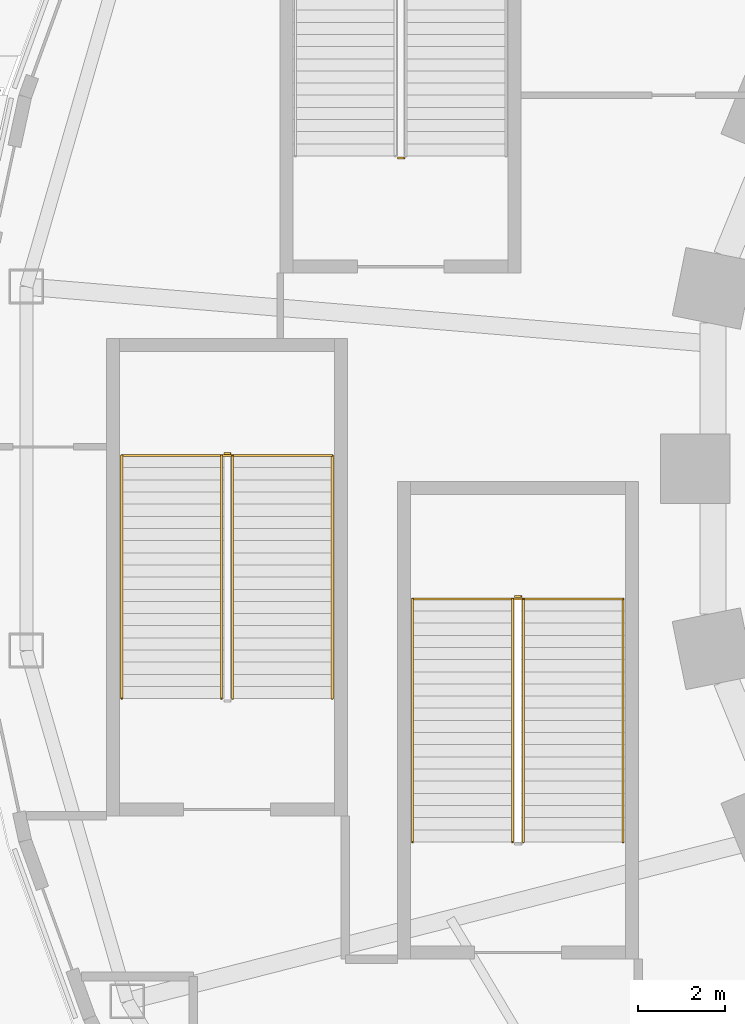
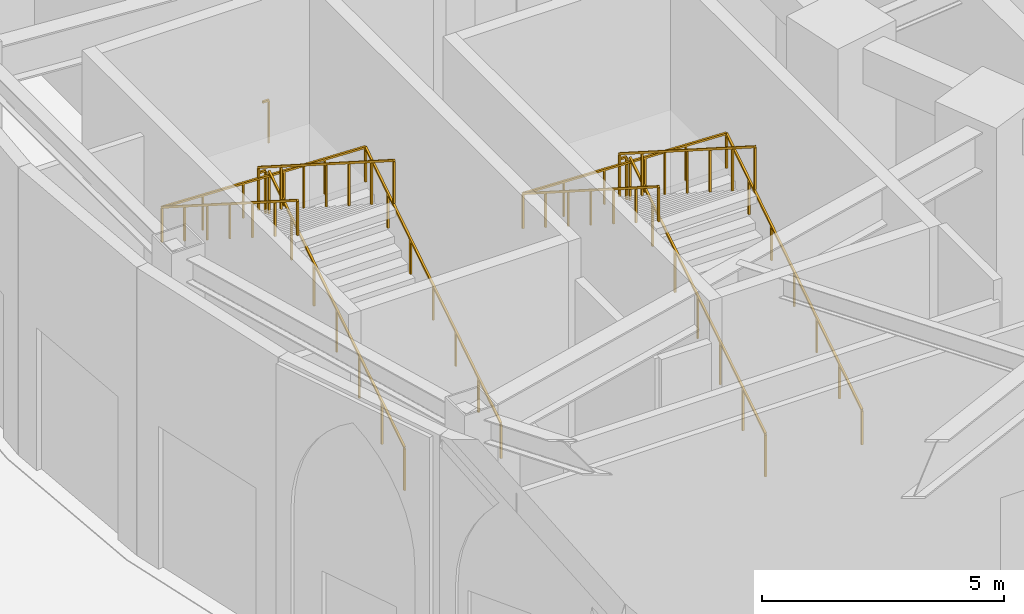
# One storey, part 65 of 79: 9 railings.
"""IFC4 building model written with IfcOpenShell, lengths in metres."""

from ifc_helpers import new_model, si_unit, direction, frame, origin, origin_2d, place, context, subcontext, project, spatial, rectangle, extrude, material, type_object, element, save


model = new_model("IFC4")

# Units and contexts
model_context = context("Model", 3, precision=1e-05, world=origin(), true_north=direction((0.0, 1.0)))
body_context = subcontext(model_context, "Body", "Model", "MODEL_VIEW")
ifc_project = project(units=[si_unit("LENGTHUNIT", "METRE"), si_unit("AREAUNIT", "SQUARE_METRE"), si_unit("VOLUMEUNIT", "CUBIC_METRE"), si_unit("PLANEANGLEUNIT", "RADIAN"), si_unit("MASSUNIT", "GRAM", prefix="KILO")], contexts=[model_context])

# Site, building, storey
site_placement = place(None, origin())
site = spatial("IfcSite", under=ifc_project, at=site_placement, CompositionType="ELEMENT")
building_placement = place(site_placement, origin())
building = spatial("IfcBuilding", under=site, at=building_placement, Name="Noorbagh Ring Tower", CompositionType="ELEMENT")
storey_placement = place(building_placement, origin())
storey = spatial("IfcBuildingStorey", under=building, at=storey_placement, Name="L00", CompositionType="ELEMENT", Elevation=0.0)

# Railings
ifc_material_1 = material(Name="Stainless steel", Category="steel")
railing_type_1 = type_object("IfcRailingType", Name="GND-STAIR-GUARD", PredefinedType="GUARDRAIL", material=ifc_material_1)
railing_1_placement = place(storey_placement, frame((-38.89990234375, -8.60009765625, 0.178466796875)))
element("IfcRailing", 1, at=railing_1_placement, inside=storey, type_object=railing_type_1, Name="L00 ST-P1 stair guard", PredefinedType="GUARDRAIL", context=body_context, shape_type="SweptSolid", body=[
    extrude(rectangle(XDim=0.048095703125, YDim=0.048095703125, at=origin_2d()), frame((0.0, 0.0, 1.076171875), z_axis=(0.0, 0.843126799516, 0.537714794233), x_axis=(-1.0, 0.0, 0.0)), (0.0, 0.0, 1.0), 6.64208984375),
    extrude(rectangle(XDim=0.0419921875, YDim=0.0419921875, at=origin_2d()), origin(), (0.0, 0.0, 1.0), 1.052001953125),
    extrude(rectangle(XDim=0.0419921875, YDim=0.0419921875, at=origin_2d()), frame((0.0, 0.933349609375, 0.59521484375)), (0.0, 0.0, 1.0), 1.052001953125),
    extrude(rectangle(XDim=0.0419921875, YDim=0.0419921875, at=origin_2d()), frame((0.0, 1.86669921875, 1.1904296875)), (0.0, 0.0, 1.0), 1.052001953125),
    extrude(rectangle(XDim=0.0419921875, YDim=0.0419921875, at=origin_2d()), frame((0.0, 2.800048828125, 1.78564453125)), (0.0, 0.0, 1.0), 1.052001953125),
    extrude(rectangle(XDim=0.0419921875, YDim=0.0419921875, at=origin_2d()), frame((0.0, 3.7333984375, 2.381103515625)), (0.0, 0.0, 1.0), 1.052001953125),
    extrude(rectangle(XDim=0.0419921875, YDim=0.0419921875, at=origin_2d()), frame((0.0, 4.666748046875, 2.976318359375)), (0.0, 0.0, 1.0), 1.052001953125),
    extrude(rectangle(XDim=0.0419921875, YDim=0.0419921875, at=origin_2d()), frame((0.0, 5.60009765625, 3.571533203125)), (0.0, 0.0, 1.0), 1.052001953125),
])
railing_2_placement = place(storey_placement, frame((-38.949951171875, -2.949951171875, 3.75)))
element("IfcRailing", 2, at=railing_2_placement, inside=storey, type_object=railing_type_1, Name="L00 ST-P1 stair guard", PredefinedType="GUARDRAIL", context=body_context, shape_type="SweptSolid", body=[
    extrude(rectangle(XDim=0.048095703125, YDim=0.048095703125, at=origin_2d()), frame((0.0, 0.0, 1.076171875), z_axis=(-1.0, 0.0, 0.0), x_axis=(0.0, -1.0, 0.0)), (0.0, 0.0, 1.0), 0.150146484375),
    extrude(rectangle(XDim=0.0419921875, YDim=0.0419921875, at=origin_2d()), origin(), (0.0, 0.0, 1.0), 1.052001953125),
])
railing_3_placement = place(storey_placement, frame((-39.14990234375, -3.0, 3.928466796875)))
element("IfcRailing", 3, at=railing_3_placement, inside=storey, type_object=railing_type_1, Name="L00 ST-P1 stair guard", PredefinedType="GUARDRAIL", context=body_context, shape_type="SweptSolid", body=[
    extrude(rectangle(XDim=0.048095703125, YDim=0.048095703125, at=origin_2d()), frame((0.0, 0.0, 1.076171875), z_axis=(0.0, -0.843126799516, 0.537714794233), x_axis=(1.0, 0.0, 0.0)), (0.0, 0.0, 1.0), 6.64208984375),
    extrude(rectangle(XDim=0.0419921875, YDim=0.0419921875, at=origin_2d()), origin(), (0.0, 0.0, 1.0), 1.052001953125),
    extrude(rectangle(XDim=0.0419921875, YDim=0.0419921875, at=origin_2d()), frame((0.0, -0.933349609375, 0.59521484375)), (0.0, 0.0, 1.0), 1.052001953125),
    extrude(rectangle(XDim=0.0419921875, YDim=0.0419921875, at=origin_2d()), frame((0.0, -1.86669921875, 1.1904296875)), (0.0, 0.0, 1.0), 1.052001953125),
    extrude(rectangle(XDim=0.0419921875, YDim=0.0419921875, at=origin_2d()), frame((0.0, -2.800048828125, 1.78564453125)), (0.0, 0.0, 1.0), 1.052001953125),
    extrude(rectangle(XDim=0.0419921875, YDim=0.0419921875, at=origin_2d()), frame((0.0, -3.7333984375, 2.381103515625)), (0.0, 0.0, 1.0), 1.052001953125),
    extrude(rectangle(XDim=0.0419921875, YDim=0.0419921875, at=origin_2d()), frame((0.0, -4.666748046875, 2.976318359375)), (0.0, 0.0, 1.0), 1.052001953125),
    extrude(rectangle(XDim=0.0419921875, YDim=0.0419921875, at=origin_2d()), frame((0.0, -5.60009765625, 3.571533203125)), (0.0, 0.0, 1.0), 1.052001953125),
])
railing_4_placement = place(storey_placement, frame((-45.60009765625, -5.300048828125, 0.178466796875)))
element("IfcRailing", 4, at=railing_4_placement, inside=storey, type_object=railing_type_1, Name="L00 ST-P3 stair guard", PredefinedType="GUARDRAIL", context=body_context, shape_type="SweptSolid", body=[
    extrude(rectangle(XDim=0.048095703125, YDim=0.048095703125, at=origin_2d()), frame((0.0, 0.0, 1.076171875), z_axis=(0.0, 0.843126799516, 0.537714794233), x_axis=(-1.0, 0.0, 0.0)), (0.0, 0.0, 1.0), 6.64208984375),
    extrude(rectangle(XDim=0.0419921875, YDim=0.0419921875, at=origin_2d()), origin(), (0.0, 0.0, 1.0), 1.052001953125),
    extrude(rectangle(XDim=0.0419921875, YDim=0.0419921875, at=origin_2d()), frame((0.0, 0.933349609375, 0.59521484375)), (0.0, 0.0, 1.0), 1.052001953125),
    extrude(rectangle(XDim=0.0419921875, YDim=0.0419921875, at=origin_2d()), frame((0.0, 1.86669921875, 1.1904296875)), (0.0, 0.0, 1.0), 1.052001953125),
    extrude(rectangle(XDim=0.0419921875, YDim=0.0419921875, at=origin_2d()), frame((0.0, 2.800048828125, 1.78564453125)), (0.0, 0.0, 1.0), 1.052001953125),
    extrude(rectangle(XDim=0.0419921875, YDim=0.0419921875, at=origin_2d()), frame((0.0, 3.7333984375, 2.381103515625)), (0.0, 0.0, 1.0), 1.052001953125),
    extrude(rectangle(XDim=0.0419921875, YDim=0.0419921875, at=origin_2d()), frame((0.0, 4.666748046875, 2.976318359375)), (0.0, 0.0, 1.0), 1.052001953125),
    extrude(rectangle(XDim=0.0419921875, YDim=0.0419921875, at=origin_2d()), frame((0.0, 5.60009765625, 3.571533203125)), (0.0, 0.0, 1.0), 1.052001953125),
])
railing_5_placement = place(storey_placement, frame((-45.64990234375, 0.35009765625, 3.75)))
element("IfcRailing", 5, at=railing_5_placement, inside=storey, type_object=railing_type_1, Name="L00 ST-P3 stair guard", PredefinedType="GUARDRAIL", context=body_context, shape_type="SweptSolid", body=[
    extrude(rectangle(XDim=0.048095703125, YDim=0.048095703125, at=origin_2d()), frame((0.0, 0.0, 1.076171875), z_axis=(-1.0, 0.0, 0.0), x_axis=(0.0, -1.0, 0.0)), (0.0, 0.0, 1.0), 0.150146484375),
    extrude(rectangle(XDim=0.0419921875, YDim=0.0419921875, at=origin_2d()), origin(), (0.0, 0.0, 1.0), 1.052001953125),
])
railing_6_placement = place(storey_placement, frame((-45.85009765625, 0.300048828125, 3.928466796875)))
element("IfcRailing", 6, at=railing_6_placement, inside=storey, type_object=railing_type_1, Name="L00 ST-P3 stair guard", PredefinedType="GUARDRAIL", context=body_context, shape_type="SweptSolid", body=[
    extrude(rectangle(XDim=0.048095703125, YDim=0.048095703125, at=origin_2d()), frame((0.0, 0.0, 1.076171875), z_axis=(0.0, -0.843126799516, 0.537714794233), x_axis=(1.0, 0.0, 0.0)), (0.0, 0.0, 1.0), 6.64208984375),
    extrude(rectangle(XDim=0.0419921875, YDim=0.0419921875, at=origin_2d()), origin(), (0.0, 0.0, 1.0), 1.052001953125),
    extrude(rectangle(XDim=0.0419921875, YDim=0.0419921875, at=origin_2d()), frame((0.0, -0.933349609375, 0.59521484375)), (0.0, 0.0, 1.0), 1.052001953125),
    extrude(rectangle(XDim=0.0419921875, YDim=0.0419921875, at=origin_2d()), frame((0.0, -1.86669921875, 1.1904296875)), (0.0, 0.0, 1.0), 1.052001953125),
    extrude(rectangle(XDim=0.0419921875, YDim=0.0419921875, at=origin_2d()), frame((0.0, -2.800048828125, 1.78564453125)), (0.0, 0.0, 1.0), 1.052001953125),
    extrude(rectangle(XDim=0.0419921875, YDim=0.0419921875, at=origin_2d()), frame((0.0, -3.7333984375, 2.381103515625)), (0.0, 0.0, 1.0), 1.052001953125),
    extrude(rectangle(XDim=0.0419921875, YDim=0.0419921875, at=origin_2d()), frame((0.0, -4.666748046875, 2.976318359375)), (0.0, 0.0, 1.0), 1.052001953125),
    extrude(rectangle(XDim=0.0419921875, YDim=0.0419921875, at=origin_2d()), frame((0.0, -5.60009765625, 3.571533203125)), (0.0, 0.0, 1.0), 1.052001953125),
])
railing_7_placement = place(storey_placement, frame((-41.64990234375, 7.14990234375, 0.0)))
element("IfcRailing", 7, at=railing_7_placement, inside=storey, type_object=railing_type_1, Name="L00 ST-P7 stair guard", PredefinedType="GUARDRAIL", context=body_context, shape_type="SweptSolid", body=[
    extrude(rectangle(XDim=0.048095703125, YDim=0.048095703125, at=origin_2d()), frame((0.0, 0.0, 1.076171875), z_axis=(-1.0, 0.0, 0.0), x_axis=(0.0, -1.0, 0.0)), (0.0, 0.0, 1.0), 0.150146484375),
    extrude(rectangle(XDim=0.0419921875, YDim=0.0419921875, at=origin_2d()), origin(), (0.0, 0.0, 1.0), 1.052001953125),
])
ifc_material_2 = material(Name="Stainless steel", Category="steel")
railing_type_2 = type_object("IfcRailingType", Name="GND-STAIR-HANDRAIL", PredefinedType="HANDRAIL", material=ifc_material_2)
railing_8_placement = place(storey_placement, frame((-36.60009765625, -8.60009765625, 0.178466796875)))
element("IfcRailing", 8, at=railing_8_placement, inside=storey, type_object=railing_type_2, Name="L00 ST-P1 stair handrail", PredefinedType="HANDRAIL", context=body_context, shape_type="SweptSolid", body=[
    extrude(rectangle(XDim=0.048095703125, YDim=0.048095703125, at=origin_2d()), frame((0.0, 0.0, 0.8759765625), z_axis=(0.0, 0.843126799516, 0.537714794233), x_axis=(-1.0, 0.0, 0.0)), (0.0, 0.0, 1.0), 6.64208984375),
    extrude(rectangle(XDim=0.048095703125, YDim=0.048095703125, at=origin_2d()), frame((0.0, 5.60009765625, 4.447265625), z_axis=(-0.999323626121, 0.0, 0.036773499657), x_axis=(0.0, -1.0, 0.0)), (0.0, 0.0, 1.0), 4.85302734375),
    extrude(rectangle(XDim=0.048095703125, YDim=0.048095703125, at=origin_2d()), frame((-4.849853515625, 5.60009765625, 4.6259765625), z_axis=(0.0, -0.843126799516, 0.537714794233), x_axis=(1.0, 0.0, 0.0)), (0.0, 0.0, 1.0), 6.64208984375),
    extrude(rectangle(XDim=0.0419921875, YDim=0.0419921875, at=origin_2d()), origin(), (0.0, 0.0, 1.0), 0.851806640625),
    extrude(rectangle(XDim=0.0419921875, YDim=0.0419921875, at=origin_2d()), frame((0.0, 0.933349609375, 0.59521484375)), (0.0, 0.0, 1.0), 0.851806640625),
    extrude(rectangle(XDim=0.0419921875, YDim=0.0419921875, at=origin_2d()), frame((0.0, 1.86669921875, 1.1904296875)), (0.0, 0.0, 1.0), 0.851806640625),
    extrude(rectangle(XDim=0.0419921875, YDim=0.0419921875, at=origin_2d()), frame((0.0, 2.800048828125, 1.78564453125)), (0.0, 0.0, 1.0), 0.851806640625),
    extrude(rectangle(XDim=0.0419921875, YDim=0.0419921875, at=origin_2d()), frame((0.0, 3.7333984375, 2.381103515625)), (0.0, 0.0, 1.0), 0.851806640625),
    extrude(rectangle(XDim=0.0419921875, YDim=0.0419921875, at=origin_2d()), frame((0.0, 4.666748046875, 2.976318359375)), (0.0, 0.0, 1.0), 0.851806640625),
    extrude(rectangle(XDim=0.0419921875, YDim=0.0419921875, at=origin_2d()), frame((0.0, 5.60009765625, 3.571533203125)), (0.0, 0.0, 1.0), 0.851806640625),
    extrude(rectangle(XDim=0.0419921875, YDim=0.0419921875, at=origin_2d()), frame((-0.969970703125, 5.60009765625, 3.607177734375)), (0.0, 0.0, 1.0), 0.851806640625),
    extrude(rectangle(XDim=0.0419921875, YDim=0.0419921875, at=origin_2d()), frame((-1.93994140625, 5.60009765625, 3.642822265625)), (0.0, 0.0, 1.0), 0.851806640625),
    extrude(rectangle(XDim=0.0419921875, YDim=0.0419921875, at=origin_2d()), frame((-2.909912109375, 5.60009765625, 3.6787109375)), (0.0, 0.0, 1.0), 0.851806640625),
    extrude(rectangle(XDim=0.0419921875, YDim=0.0419921875, at=origin_2d()), frame((-3.8798828125, 5.60009765625, 3.71435546875)), (0.0, 0.0, 1.0), 0.851806640625),
    extrude(rectangle(XDim=0.0419921875, YDim=0.0419921875, at=origin_2d()), frame((-4.849853515625, 5.60009765625, 3.75)), (0.0, 0.0, 1.0), 0.851806640625),
    extrude(rectangle(XDim=0.0419921875, YDim=0.0419921875, at=origin_2d()), frame((-4.849853515625, 4.666748046875, 4.34521484375)), (0.0, 0.0, 1.0), 0.851806640625),
    extrude(rectangle(XDim=0.0419921875, YDim=0.0419921875, at=origin_2d()), frame((-4.849853515625, 3.7333984375, 4.9404296875)), (0.0, 0.0, 1.0), 0.851806640625),
    extrude(rectangle(XDim=0.0419921875, YDim=0.0419921875, at=origin_2d()), frame((-4.849853515625, 2.800048828125, 5.53564453125)), (0.0, 0.0, 1.0), 0.851806640625),
    extrude(rectangle(XDim=0.0419921875, YDim=0.0419921875, at=origin_2d()), frame((-4.849853515625, 1.86669921875, 6.131103515625)), (0.0, 0.0, 1.0), 0.851806640625),
    extrude(rectangle(XDim=0.0419921875, YDim=0.0419921875, at=origin_2d()), frame((-4.849853515625, 0.933349609375, 6.726318359375)), (0.0, 0.0, 1.0), 0.851806640625),
    extrude(rectangle(XDim=0.0419921875, YDim=0.0419921875, at=origin_2d()), frame((-4.849853515625, 0.0, 7.321533203125)), (0.0, 0.0, 1.0), 0.851806640625),
])
railing_9_placement = place(storey_placement, frame((-43.300048828125, -5.300048828125, 0.178466796875)))
element("IfcRailing", 9, at=railing_9_placement, inside=storey, type_object=railing_type_2, Name="L00 ST-P3 stair handrail", PredefinedType="HANDRAIL", context=body_context, shape_type="SweptSolid", body=[
    extrude(rectangle(XDim=0.048095703125, YDim=0.048095703125, at=origin_2d()), frame((0.0, 0.0, 0.8759765625), z_axis=(0.0, 0.843126799516, 0.537714794233), x_axis=(-1.0, 0.0, 0.0)), (0.0, 0.0, 1.0), 6.64208984375),
    extrude(rectangle(XDim=0.048095703125, YDim=0.048095703125, at=origin_2d()), frame((0.0, 5.60009765625, 4.447265625), z_axis=(-0.999323626121, 0.0, 0.036773499657), x_axis=(0.0, -1.0, 0.0)), (0.0, 0.0, 1.0), 4.85302734375),
    extrude(rectangle(XDim=0.048095703125, YDim=0.048095703125, at=origin_2d()), frame((-4.849853515625, 5.60009765625, 4.6259765625), z_axis=(0.0, -0.843126799516, 0.537714794233), x_axis=(1.0, 0.0, 0.0)), (0.0, 0.0, 1.0), 6.64208984375),
    extrude(rectangle(XDim=0.0419921875, YDim=0.0419921875, at=origin_2d()), origin(), (0.0, 0.0, 1.0), 0.851806640625),
    extrude(rectangle(XDim=0.0419921875, YDim=0.0419921875, at=origin_2d()), frame((0.0, 0.933349609375, 0.59521484375)), (0.0, 0.0, 1.0), 0.851806640625),
    extrude(rectangle(XDim=0.0419921875, YDim=0.0419921875, at=origin_2d()), frame((0.0, 1.86669921875, 1.1904296875)), (0.0, 0.0, 1.0), 0.851806640625),
    extrude(rectangle(XDim=0.0419921875, YDim=0.0419921875, at=origin_2d()), frame((0.0, 2.800048828125, 1.78564453125)), (0.0, 0.0, 1.0), 0.851806640625),
    extrude(rectangle(XDim=0.0419921875, YDim=0.0419921875, at=origin_2d()), frame((0.0, 3.7333984375, 2.381103515625)), (0.0, 0.0, 1.0), 0.851806640625),
    extrude(rectangle(XDim=0.0419921875, YDim=0.0419921875, at=origin_2d()), frame((0.0, 4.666748046875, 2.976318359375)), (0.0, 0.0, 1.0), 0.851806640625),
    extrude(rectangle(XDim=0.0419921875, YDim=0.0419921875, at=origin_2d()), frame((0.0, 5.60009765625, 3.571533203125)), (0.0, 0.0, 1.0), 0.851806640625),
    extrude(rectangle(XDim=0.0419921875, YDim=0.0419921875, at=origin_2d()), frame((-0.969970703125, 5.60009765625, 3.607177734375)), (0.0, 0.0, 1.0), 0.851806640625),
    extrude(rectangle(XDim=0.0419921875, YDim=0.0419921875, at=origin_2d()), frame((-1.93994140625, 5.60009765625, 3.642822265625)), (0.0, 0.0, 1.0), 0.851806640625),
    extrude(rectangle(XDim=0.0419921875, YDim=0.0419921875, at=origin_2d()), frame((-2.909912109375, 5.60009765625, 3.6787109375)), (0.0, 0.0, 1.0), 0.851806640625),
    extrude(rectangle(XDim=0.0419921875, YDim=0.0419921875, at=origin_2d()), frame((-3.8798828125, 5.60009765625, 3.71435546875)), (0.0, 0.0, 1.0), 0.851806640625),
    extrude(rectangle(XDim=0.0419921875, YDim=0.0419921875, at=origin_2d()), frame((-4.849853515625, 5.60009765625, 3.75)), (0.0, 0.0, 1.0), 0.851806640625),
    extrude(rectangle(XDim=0.0419921875, YDim=0.0419921875, at=origin_2d()), frame((-4.849853515625, 4.666748046875, 4.34521484375)), (0.0, 0.0, 1.0), 0.851806640625),
    extrude(rectangle(XDim=0.0419921875, YDim=0.0419921875, at=origin_2d()), frame((-4.849853515625, 3.7333984375, 4.9404296875)), (0.0, 0.0, 1.0), 0.851806640625),
    extrude(rectangle(XDim=0.0419921875, YDim=0.0419921875, at=origin_2d()), frame((-4.849853515625, 2.800048828125, 5.53564453125)), (0.0, 0.0, 1.0), 0.851806640625),
    extrude(rectangle(XDim=0.0419921875, YDim=0.0419921875, at=origin_2d()), frame((-4.849853515625, 1.86669921875, 6.131103515625)), (0.0, 0.0, 1.0), 0.851806640625),
    extrude(rectangle(XDim=0.0419921875, YDim=0.0419921875, at=origin_2d()), frame((-4.849853515625, 0.933349609375, 6.726318359375)), (0.0, 0.0, 1.0), 0.851806640625),
    extrude(rectangle(XDim=0.0419921875, YDim=0.0419921875, at=origin_2d()), frame((-4.849853515625, 0.0, 7.321533203125)), (0.0, 0.0, 1.0), 0.851806640625),
])

save(model, "model.ifc")
